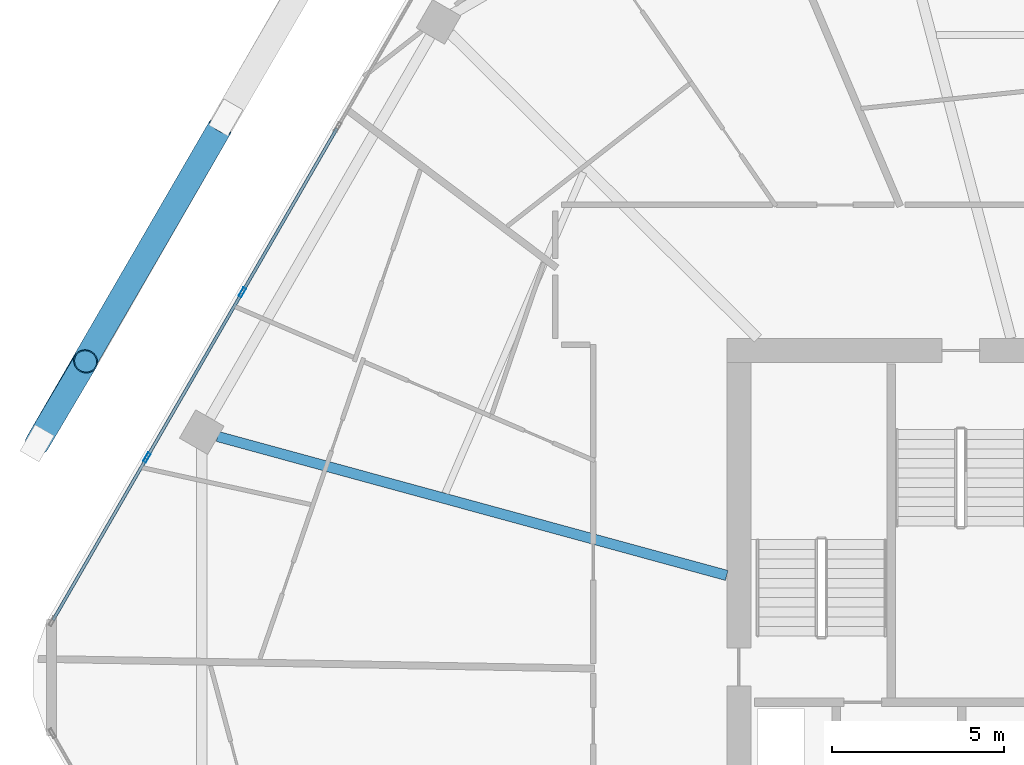
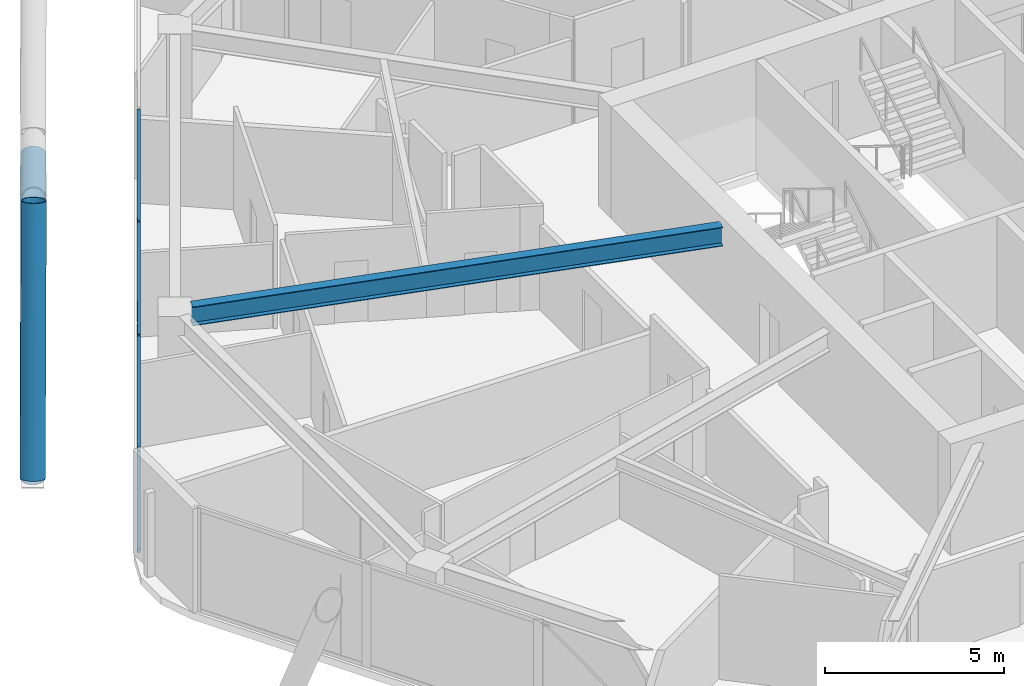
# One storey, part 10 of 28: 10 members, 1 beam, 1 element without a shape of its own.
"""IFC4 building model written with IfcOpenShell, lengths in metres."""

from ifc_helpers import new_model, si_unit, direction, frame, origin, origin_2d, place, context, subcontext, project, spatial, hollow_rectangle, hollow_circle, i_section, extrude, material, material_profile, profile_set, type_object, element, aggregate, save


model = new_model("IFC4")

# Units and contexts
model_context = context("Model", 3, precision=1e-05, world=origin(), true_north=direction((0.0, 1.0)))
body_context = subcontext(model_context, "Body", "Model", "MODEL_VIEW")
ifc_project = project(units=[si_unit("LENGTHUNIT", "METRE"), si_unit("AREAUNIT", "SQUARE_METRE"), si_unit("VOLUMEUNIT", "CUBIC_METRE"), si_unit("PLANEANGLEUNIT", "RADIAN"), si_unit("MASSUNIT", "GRAM", prefix="KILO")], contexts=[model_context])

# Site, building, storey
site_placement = place(None, origin())
site = spatial("IfcSite", under=ifc_project, at=site_placement, CompositionType="ELEMENT")
building_placement = place(site_placement, origin())
building = spatial("IfcBuilding", under=site, at=building_placement, Name="Zuhravey Tower", CompositionType="ELEMENT")
storey_placement = place(building_placement, frame((0.0, 0.0, 207.39990234375)))
storey = spatial("IfcBuildingStorey", under=building, at=storey_placement, Name="L52", CompositionType="ELEMENT", Elevation=207.39990234375)

# Curtain wall, members
ifc_material_1 = material(Name="Thermally broken anodised aluminium", Category="aluminium")
curtain_wall_type = type_object("IfcCurtainWallType", Name="Zone 1-2 Residential Curtain Wall CW3", PredefinedType="NOTDEFINED", material=ifc_material_1)
curtain_wall_placement = place(storey_placement, origin())
curtain_wall = element("IfcCurtainWall", 1, at=curtain_wall_placement, inside=storey, type_object=curtain_wall_type, Name="L52 CW3 CW-L52-F3-1", PredefinedType="NOTDEFINED")
ifc_material_2 = material(Name="Anodised aluminium", Category="aluminium")
ifc_material_profile_1 = material_profile(ifc_material_2, hollow_rectangle(XDim=0.090087890625, YDim=0.284912109375, WallThickness=0.0048828125, at=origin_2d()), Name="ALU-RHS-90x285x5")
ifc_profile_set_1 = profile_set([ifc_material_profile_1], Name="Anodised aluminium")
member_type_1 = type_object("IfcMemberType", Name="Curtain-Wall Mullion 90x180", PredefinedType="MULLION", material=ifc_profile_set_1)
member_1_placement = place(storey_placement, frame((8.300537109375, 38.38916015625, 0.0), z_axis=(0.0, 0.0, 1.0), x_axis=(-0.866025138215, 0.500000459979, 0.0)))
member_1 = element("IfcMember", 2, at=member_1_placement, type_object=member_type_1, Name="CW3 mullion 2", PredefinedType="MULLION", context=body_context, shape_type="SweptSolid", body=[
    extrude(hollow_rectangle(XDim=0.090087890625, YDim=0.284912109375, WallThickness=0.0048828125, at=origin_2d()), origin(), (0.0, 0.0, 1.0), 3.550048828125),
])
member_2_placement = place(storey_placement, frame((11.07275390625, 43.190673828125, 0.0), z_axis=(0.0, 0.0, 1.0), x_axis=(-0.866025138215, 0.500000459979, 0.0)))
member_2 = element("IfcMember", 3, at=member_2_placement, type_object=member_type_1, Name="CW3 mullion 3", PredefinedType="MULLION", context=body_context, shape_type="SweptSolid", body=[
    extrude(hollow_rectangle(XDim=0.090087890625, YDim=0.284912109375, WallThickness=0.0048828125, at=origin_2d()), origin(), (0.0, 0.0, 1.0), 3.550048828125),
])
ifc_material_profile_2 = material_profile(ifc_material_2, hollow_rectangle(XDim=0.090087890625, YDim=0.14990234375, WallThickness=0.0048828125, at=origin_2d()), Name="ALU-RHS-90x150x5")
ifc_profile_set_2 = profile_set([ifc_material_profile_2], Name="Anodised aluminium")
member_type_2 = type_object("IfcMemberType", Name="Curtain-Wall Transom 90x150", PredefinedType="USERDEFINED", material=ifc_profile_set_2)
member_3_placement = place(storey_placement, frame((5.5732421875, 33.66552734375, 0.045166015625), z_axis=(0.499993332629, 0.866029253159, 0.0), x_axis=(-0.866029253159, 0.499993332629, 0.0)))
member_3 = element("IfcMember", 4, at=member_3_placement, type_object=member_type_2, Name="CW3 transom 1.1", ObjectType="TRANSOM", PredefinedType="USERDEFINED", context=body_context, shape_type="SweptSolid", body=[
    extrude(hollow_rectangle(XDim=0.090087890625, YDim=0.14990234375, WallThickness=0.0048828125, at=origin_2d()), origin(), (0.0, 0.0, 1.0), 5.4091796875),
])
member_4_placement = place(storey_placement, frame((5.5732421875, 33.66552734375, 3.505126953125), z_axis=(0.499993332629, 0.866029253159, 0.0), x_axis=(-0.866029253159, 0.499993332629, 0.0)))
member_4 = element("IfcMember", 5, at=member_4_placement, type_object=member_type_2, Name="CW3 transom 1.2", ObjectType="TRANSOM", PredefinedType="USERDEFINED", context=body_context, shape_type="SweptSolid", body=[
    extrude(hollow_rectangle(XDim=0.090087890625, YDim=0.14990234375, WallThickness=0.0048828125, at=origin_2d()), origin(), (0.0, 0.0, 1.0), 5.4091796875),
])
member_5_placement = place(storey_placement, frame((8.322998046875, 38.427978515625, 0.045166015625), z_axis=(0.49996138257, 0.86604769842, 0.0), x_axis=(-0.86604769842, 0.49996138257, 0.0)))
member_5 = element("IfcMember", 6, at=member_5_placement, type_object=member_type_2, Name="CW3 transom 2.1", ObjectType="TRANSOM", PredefinedType="USERDEFINED", context=body_context, shape_type="SweptSolid", body=[
    extrude(hollow_rectangle(XDim=0.090087890625, YDim=0.14990234375, WallThickness=0.0048828125, at=origin_2d()), origin(), (0.0, 0.0, 1.0), 5.45458984375),
])
member_6_placement = place(storey_placement, frame((8.322998046875, 38.427978515625, 3.505126953125), z_axis=(0.49996138257, 0.86604769842, 0.0), x_axis=(-0.86604769842, 0.49996138257, 0.0)))
member_6 = element("IfcMember", 7, at=member_6_placement, type_object=member_type_2, Name="CW3 transom 2.2", ObjectType="TRANSOM", PredefinedType="USERDEFINED", context=body_context, shape_type="SweptSolid", body=[
    extrude(hollow_rectangle(XDim=0.090087890625, YDim=0.14990234375, WallThickness=0.0048828125, at=origin_2d()), origin(), (0.0, 0.0, 1.0), 5.45458984375),
])
member_7_placement = place(storey_placement, frame((11.09521484375, 43.229736328125, 0.045166015625), z_axis=(0.499980763544, 0.866036509673, 0.0), x_axis=(-0.866036509673, 0.499980763544, 0.0)))
member_7 = element("IfcMember", 8, at=member_7_placement, type_object=member_type_2, Name="CW3 transom 3.1", ObjectType="TRANSOM", PredefinedType="USERDEFINED", context=body_context, shape_type="SweptSolid", body=[
    extrude(hollow_rectangle(XDim=0.090087890625, YDim=0.14990234375, WallThickness=0.0048828125, at=origin_2d()), origin(), (0.0, 0.0, 1.0), 5.454345703125),
])
member_8_placement = place(storey_placement, frame((11.09521484375, 43.229736328125, 3.505126953125), z_axis=(0.499980763544, 0.866036509673, 0.0), x_axis=(-0.866036509673, 0.499980763544, 0.0)))
member_8 = element("IfcMember", 9, at=member_8_placement, type_object=member_type_2, Name="CW3 transom 3.2", ObjectType="TRANSOM", PredefinedType="USERDEFINED", context=body_context, shape_type="SweptSolid", body=[
    extrude(hollow_rectangle(XDim=0.090087890625, YDim=0.14990234375, WallThickness=0.0048828125, at=origin_2d()), origin(), (0.0, 0.0, 1.0), 5.454345703125),
])
aggregate(curtain_wall, [member_1, member_2, member_3, member_4, member_5, member_6, member_7, member_8])

# Members
ifc_material_3 = material(Name="Steel SM460", Category="steel")
ifc_material_profile_3 = material_profile(ifc_material_3, hollow_circle(Radius=0.355712890625, WallThickness=0.031982421875, at=origin_2d()), Name="CHS-711.2x32")
ifc_profile_set_3 = profile_set([ifc_material_profile_3], Name="Steel SM460")
member_type_3 = type_object("IfcMemberType", Name="Exoskeleton Zone 2 Diagrid CHS711x32", PredefinedType="BRACE", material=ifc_profile_set_3)
member_9_placement = place(storey_placement, frame((5.113037109375, 38.807861328125, -0.44384765625), z_axis=(0.174641459802, 0.295103720853, 0.939369019319), x_axis=(-0.860591717752, 0.509295489217, 0.0)))
element("IfcMember", 10, at=member_9_placement, inside=storey, type_object=member_type_3, Name="L52 Face 3 Diagrid Brace 4", PredefinedType="BRACE", context=body_context, shape_type="SweptSolid", body=[
    extrude(hollow_circle(Radius=0.355712890625, WallThickness=0.031982421875, at=origin_2d()), origin(), (0.0, 0.0, 1.0), 8.048095703125),
])
member_10_placement = place(storey_placement, frame((5.131591796875, 38.840576171875, -0.4482421875), z_axis=(0.473448579696, 0.817451517763, 0.328054048125), x_axis=(-0.865340357304, 0.501184662596, 0.0)))
element("IfcMember", 11, at=member_10_placement, inside=storey, type_object=member_type_3, Name="L52 Face 3 Split Diagrid Brace 3A", PredefinedType="BRACE", context=body_context, shape_type="SweptSolid", body=[
    extrude(hollow_circle(Radius=0.355712890625, WallThickness=0.031982421875, at=origin_2d()), origin(), (0.0, 0.0, 1.0), 11.18994140625),
])

# Beam
ifc_material_4 = material(Name="Steel SM355", Category="steel")
ifc_material_profile_4 = material_profile(ifc_material_4, i_section(OverallWidth=0.300048828125, OverallDepth=0.64990234375, WebThickness=0.012939453125, FlangeThickness=0.02197265625, at=origin_2d()), Name="H-650x300x13x22")
ifc_profile_set_4 = profile_set([ifc_material_profile_4], Name="Steel SM355")
beam_type = type_object("IfcBeamType", Name="Radial Primary Girder H650x300", PredefinedType="BEAM", material=ifc_profile_set_4)
beam_placement = place(storey_placement, frame((25.14697265625, 34.96240234375, 3.22509765625), z_axis=(-0.964701703464, 0.263345065139, 0.0), x_axis=(-0.263345065139, -0.964701703464, 0.0)))
element("IfcBeam", 12, at=beam_placement, inside=storey, type_object=beam_type, Name="L52 RG2 BM-L52-RAD-06", PredefinedType="BEAM", context=body_context, shape_type="SweptSolid", body=[
    extrude(i_section(OverallWidth=0.300048828125, OverallDepth=0.64990234375, WebThickness=0.012939453125, FlangeThickness=0.02197265625, at=origin_2d()), origin(), (0.0, 0.0, 1.0), 15.334716796875),
])

save(model, "model.ifc")
